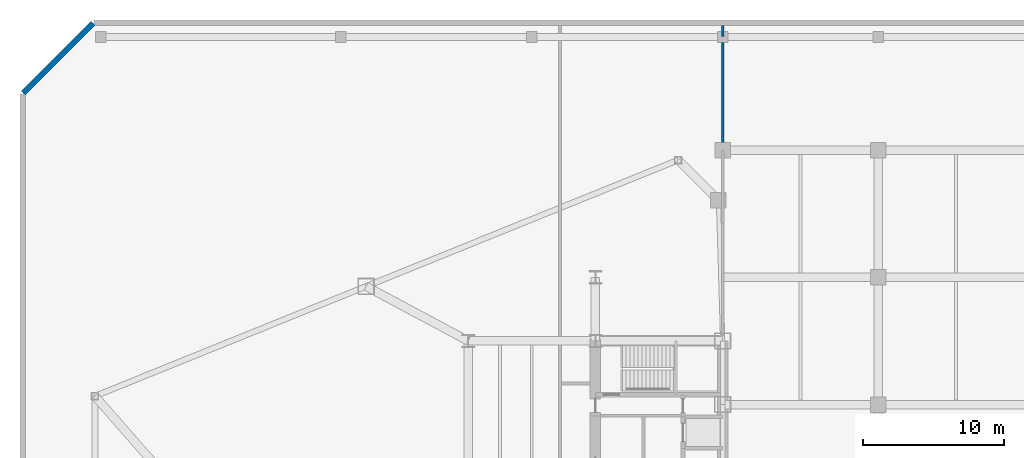
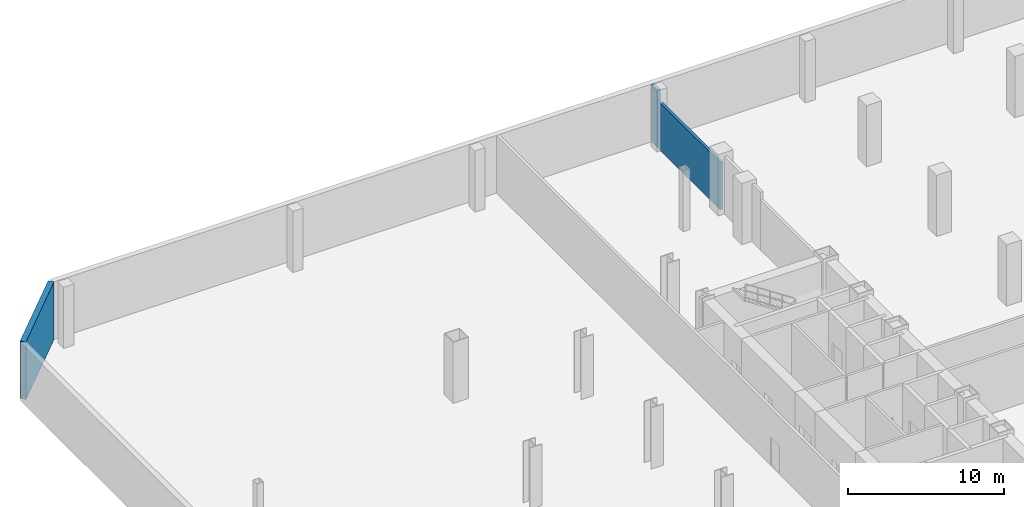
# One storey, part 14 of 18: 3 walls.
"""IFC4 building model written with IfcOpenShell, lengths in metres."""

import ifcopenshell
import ifcopenshell.guid

model = None  # the IFC model being written
_history = None  # IfcOwnerHistory: only IFC2X3 demands one
_inside = {}  # id of a spatial element -> (the spatial element, [elements in it])
_under = {}  # id of a project, library or spatial element -> (it, [spatial elements below it])
_declared = {}  # id of a project -> (the project, [libraries it declares])
_typed = {}  # id of a type object -> (the type object, [elements of that type])
_made_of = {}  # id of a material, layer set ... -> (it, [elements and type objects made of it])


def new_model(schema):
    """Start an empty IFC model of exactly this schema.

    Asked for "IFC4X3", IfcOpenShell would pick the latest addendum, in which some entities
    have other attributes; the version numbers below select the first issue.
    IFC2X3 requires an IfcOwnerHistory on every rooted entity: one is made here for all.
    """
    global model, _history
    if schema == "IFC4X3":
        model = ifcopenshell.file(schema_version=(4, 3, 0, 0))
    else:
        model = ifcopenshell.file(schema=schema)
    _inside.clear()
    _under.clear()
    _declared.clear()
    _typed.clear()
    _made_of.clear()
    _history = None
    if model.schema == "IFC2X3":
        org = make("IfcOrganization", Name="unknown")
        user = make(
            "IfcPersonAndOrganization",
            ThePerson=make("IfcPerson", FamilyName="unknown"),
            TheOrganization=org,
        )
        app = make(
            "IfcApplication",
            ApplicationDeveloper=org,
            Version="unknown",
            ApplicationFullName="unknown",
            ApplicationIdentifier="unknown",
        )
        _history = make(
            "IfcOwnerHistory",
            OwningUser=user,
            OwningApplication=app,
            ChangeAction="ADDED",
            CreationDate=0,
        )
    return model


def make(cls, **values):
    """One entity of the class cls with the attributes given. An attribute that is None is left unset."""
    return model.create_entity(
        cls, **{name: value for name, value in values.items() if value is not None}
    )


def rooted(cls, **values):
    """An entity with a GlobalId (a new one), such as an element, a storey or a relation."""
    return make(cls, GlobalId=ifcopenshell.guid.new(), OwnerHistory=_history, **values)


def si_unit(unit_type, name, prefix=None):
    """IfcSIUnit, for example si_unit("LENGTHUNIT", "METRE", prefix="MILLI")."""
    return make("IfcSIUnit", UnitType=unit_type, Prefix=prefix, Name=name)


def assignment(units):
    """IfcUnitAssignment: the units of a project."""
    return None if units is None else make("IfcUnitAssignment", Units=units)


def point(xyz):
    """IfcCartesianPoint."""
    return None if xyz is None else make("IfcCartesianPoint", Coordinates=xyz)


def direction(xyz):
    """IfcDirection."""
    return None if xyz is None else make("IfcDirection", DirectionRatios=xyz)


def frame(location, z_axis=None, x_axis=None):
    """IfcAxis2Placement3D, a coordinate frame: its origin and axes. An axis left out is left unset."""
    return make(
        "IfcAxis2Placement3D",
        Location=point(location),
        Axis=direction(z_axis),
        RefDirection=direction(x_axis),
    )


def frame_2d(location, x_axis=None):
    """IfcAxis2Placement2D, a coordinate frame in the plane: its origin and x axis."""
    return make(
        "IfcAxis2Placement2D", Location=point(location), RefDirection=direction(x_axis)
    )


def origin():
    """The frame at (0, 0, 0) with its axes left unset."""
    return frame((0.0, 0.0, 0.0))


def place(relative_to, where):
    """IfcLocalPlacement: puts the frame where relative to a parent placement (None: the world)."""
    return make(
        "IfcLocalPlacement", PlacementRelTo=relative_to, RelativePlacement=where
    )


def context(
    kind, dimensions, precision=None, world=None, true_north=None, identifier=None
):
    """IfcGeometricRepresentationContext, for example the 3D "Model" context."""
    return make(
        "IfcGeometricRepresentationContext",
        ContextIdentifier=identifier,
        ContextType=kind,
        CoordinateSpaceDimension=dimensions,
        Precision=precision,
        WorldCoordinateSystem=world,
        TrueNorth=true_north,
    )


def subcontext(parent, identifier, kind, view, scale=None):
    """IfcGeometricRepresentationSubContext, for example "Body" below "Model"."""
    return make(
        "IfcGeometricRepresentationSubContext",
        ContextIdentifier=identifier,
        ContextType=kind,
        ParentContext=parent,
        TargetScale=scale,
        TargetView=view,
    )


def project(units=None, contexts=None):
    """IfcProject with its units and contexts."""
    return rooted(
        "IfcProject",
        Name="project",
        RepresentationContexts=contexts,
        UnitsInContext=assignment(units),
    )


def spatial(cls, under=None, at=None, **own):
    """A site, building, storey or space (cls), placed at a placement, below another one or the project."""
    s = rooted(cls, ObjectPlacement=at, **own)
    if under is not None:
        _under.setdefault(under.id(), (under, []))[1].append(s)
    return s


def profile(cls, at=None, kind="AREA", **sizes):
    """A parametric profile (cls). Its sizes go by their IFC names, for example OverallWidth=200.0."""
    return make(cls, ProfileType=kind, Position=at, **sizes)


def rectangle(**sizes):
    """IfcRectangleProfileDef."""
    return profile("IfcRectangleProfileDef", **sizes)


def extrude(swept, where, along, depth):
    """IfcExtrudedAreaSolid: the profile swept, set in the frame where, extruded along a direction by depth."""
    return make(
        "IfcExtrudedAreaSolid",
        SweptArea=swept,
        Position=where,
        ExtrudedDirection=direction(along),
        Depth=depth,
    )


def shape(context_of_items, identifier, shape_type, items):
    """IfcShapeRepresentation: the items that make up one representation, for example the "Body"."""
    return make(
        "IfcShapeRepresentation",
        ContextOfItems=context_of_items,
        RepresentationIdentifier=identifier,
        RepresentationType=shape_type,
        Items=items,
    )


def material(Name=None, Category=None):
    """IfcMaterial."""
    return make("IfcMaterial", Name=Name, Category=Category)


def layer(
    of_material, thickness, ventilated=None, Name=None, Category=None, Priority=None
):
    """IfcMaterialLayer: one layer of a wall or slab, of a material (None: an air gap)."""
    return make(
        "IfcMaterialLayer",
        Material=of_material,
        LayerThickness=thickness,
        IsVentilated=ventilated,
        Name=Name,
        Category=Category,
        Priority=Priority,
    )


def layer_set(layers, Name=None):
    """IfcMaterialLayerSet."""
    return make("IfcMaterialLayerSet", MaterialLayers=layers, LayerSetName=Name)


def made_of(thing, what):
    """Note that an element or type object is made of a material, layer set ...; save() writes the relation."""
    if what is not None:
        _made_of.setdefault(what.id(), (what, []))[1].append(thing)
    return thing


def type_object(cls, material=None, **own):
    """A type object (cls), such as IfcWallType, which elements share."""
    return made_of(rooted(cls, **own), material)


def element(
    cls,
    number,
    at=None,
    inside=None,
    cuts=None,
    type_object=None,
    material=None,
    context=None,
    identifier="Body",
    shape_type=None,
    held_by="IfcProductDefinitionShape",
    body=None,
    shapes=None,
    **own,
):
    """One element of the class cls, such as IfcWall. Its Tag is "e" and its number.

    at: its placement. inside: the storey or other place that contains it. cuts: it is an
    opening in that element (IfcRelVoidsElement). A single representation is given by context,
    identifier, shape_type and body (its items); several are given by shapes. held_by: the class
    of the entity that holds the representations. save() writes the other relations.
    """
    e = rooted(cls, Tag="e%d" % number, ObjectPlacement=at, **own)
    if body is not None:
        shapes = [shape(context, identifier, shape_type, body)]
    if shapes is not None:
        e.Representation = make(held_by, Representations=shapes)
    if inside is not None:
        _inside.setdefault(inside.id(), (inside, []))[1].append(e)
    if cuts is not None:
        rooted(
            "IfcRelVoidsElement", RelatingBuildingElement=cuts, RelatedOpeningElement=e
        )
    if type_object is not None:
        _typed.setdefault(type_object.id(), (type_object, []))[1].append(e)
    return made_of(e, material)


def aggregate(whole, parts):
    """IfcRelAggregates: a whole, such as a stair, and the parts it consists of."""
    return rooted("IfcRelAggregates", RelatingObject=whole, RelatedObjects=parts)


def save(model, path):
    """Write the relations noted so far, then the file.

    IfcRelAggregates (storeys below a building ...), IfcRelContainedInSpatialStructure (elements
    in a storey), IfcRelDefinesByType, IfcRelAssociatesMaterial and IfcRelDeclares: one each for
    every whole, place, type object, material and project.
    """
    for whole, parts in _under.values():
        aggregate(whole, parts)
    for where, things in _inside.values():
        rooted(
            "IfcRelContainedInSpatialStructure",
            RelatedElements=things,
            RelatingStructure=where,
        )
    for kind, things in _typed.values():
        rooted("IfcRelDefinesByType", RelatedObjects=things, RelatingType=kind)
    for what, things in _made_of.values():
        rooted("IfcRelAssociatesMaterial", RelatedObjects=things, RelatingMaterial=what)
    for by, libraries in _declared.values():
        rooted("IfcRelDeclares", RelatingContext=by, RelatedDefinitions=libraries)
    model.write(path)


model = new_model("IFC4")

# Units and contexts
model_context = context("Model", 3, precision=1e-05, world=origin(), true_north=direction((0.0, 1.0)))
body_context = subcontext(model_context, "Body", "Model", "MODEL_VIEW")
ifc_project = project(units=[si_unit("LENGTHUNIT", "METRE"), si_unit("AREAUNIT", "SQUARE_METRE"), si_unit("VOLUMEUNIT", "CUBIC_METRE"), si_unit("PLANEANGLEUNIT", "RADIAN"), si_unit("MASSUNIT", "GRAM", prefix="KILO")], contexts=[model_context])

# Site, building, storey
site_placement = place(None, origin())
site = spatial("IfcSite", under=ifc_project, at=site_placement, CompositionType="ELEMENT")
building_placement = place(site_placement, origin())
building = spatial("IfcBuilding", under=site, at=building_placement, Name="Seokmaru Belvedere", CompositionType="ELEMENT")
storey_placement = place(building_placement, frame((0.0, 0.0, -4.800048828125)))
storey = spatial("IfcBuildingStorey", under=building, at=storey_placement, Name="B1", CompositionType="ELEMENT", Elevation=-4.800048828125)

# Walls
ifc_material_1 = material(Name="Fire-Rated Gypsum Shaftwall")
ifc_layer_1 = layer(ifc_material_1, 0.199951171875)
ifc_layer_set_1 = layer_set([ifc_layer_1], Name="Fire-Rated Gypsum Shaftwall")
wall_type_1 = type_object("IfcWallType", Name="Inter-Tenancy Fire Compartment Partition 200", PredefinedType="PARTITIONING", material=ifc_layer_set_1)
wall_1_placement = place(storey_placement, frame((-27.5, 26.97998046875, 0.0), z_axis=(0.0, 0.0, 1.0), x_axis=(0.0, 1.0, 0.0)))
element("IfcWall", 1, at=wall_1_placement, inside=storey, type_object=wall_type_1, Name="B1 Interior Partition 010 Part 3", PredefinedType="PARTITIONING", context=body_context, shape_type="SweptSolid", body=[
    extrude(rectangle(XDim=8.0400390625, YDim=0.199951171875, at=frame_2d((4.02001953125, 0.0))), origin(), (0.0, 0.0, 1.0), 3.719970703125),
])
wall_2_placement = place(storey_placement, frame((-27.5, 35.02001953125, 0.0), z_axis=(0.0, 0.0, 1.0), x_axis=(0.0, 1.0, 0.0)))
element("IfcWall", 2, at=wall_2_placement, inside=storey, type_object=wall_type_1, Name="B1 Interior Partition 010 Part 4", PredefinedType="PARTITIONING", context=body_context, shape_type="SweptSolid", body=[
    extrude(rectangle(XDim=0.77490234375, YDim=0.199951171875, at=frame_2d((0.387451171875, 0.0))), origin(), (0.0, 0.0, 1.0), 4.52001953125),
])
ifc_material_2 = material(Name="Concrete C50 (50 MPa)", Category="concrete")
ifc_layer_2 = layer(ifc_material_2, 0.39990234375)
ifc_layer_set_2 = layer_set([ifc_layer_2], Name="Concrete C50 (50 MPa)")
wall_type_2 = type_object("IfcWallType", Name="Upper Basement Retaining Wall 400", PredefinedType="USERDEFINED", material=ifc_layer_set_2)
wall_3_placement = place(storey_placement, frame((-72.0283203125, 35.9716796875, 0.0), z_axis=(0.0, 0.0, 1.0), x_axis=(-0.707106781187, -0.707106781187, 0.0)))
element("IfcWall", 3, at=wall_3_placement, inside=storey, type_object=wall_type_2, Name="B1 Perimeter Retaining Wall 6", ObjectType="RETAININGWALL", PredefinedType="USERDEFINED", context=body_context, shape_type="SweptSolid", body=[
    extrude(rectangle(XDim=6.990966796875, YDim=0.39990234375, at=frame_2d((3.49560546875, 0.0))), origin(), (0.0, 0.0, 1.0), 4.52001953125),
])

save(model, "model.ifc")
